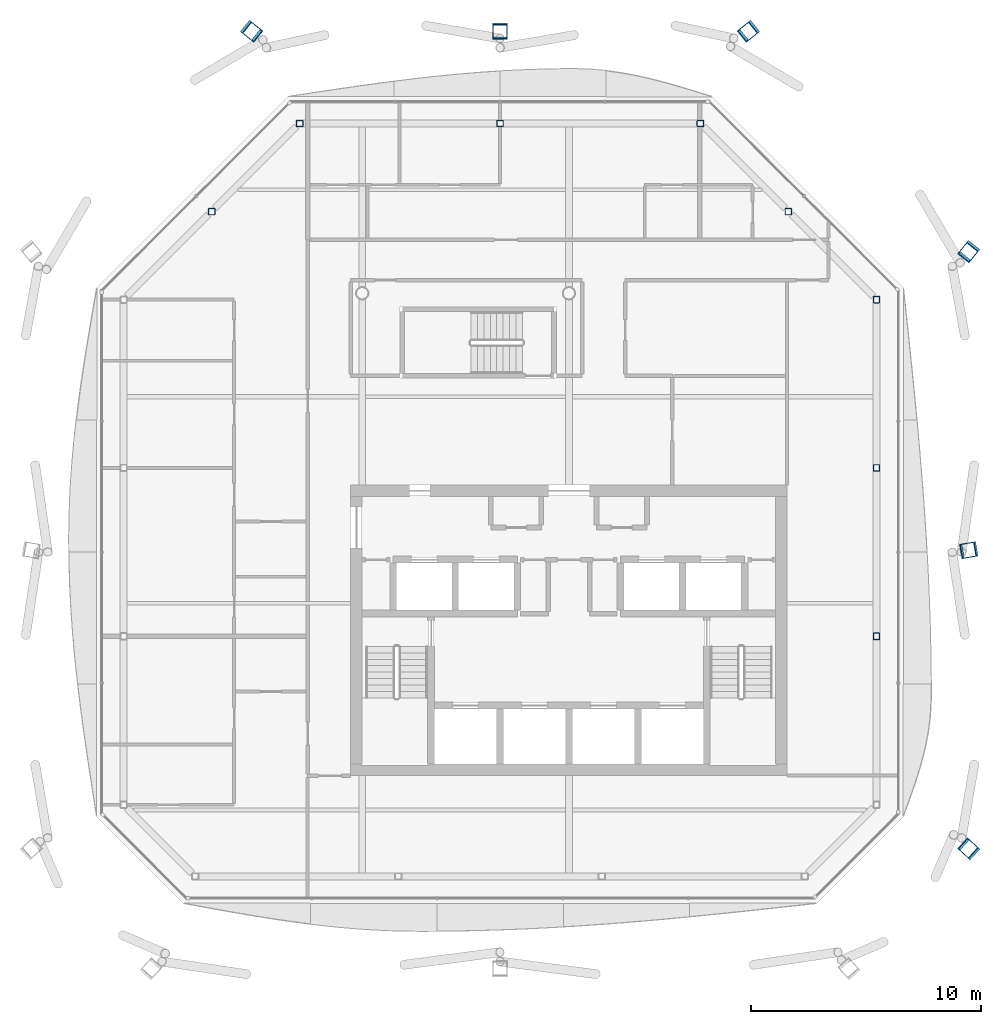
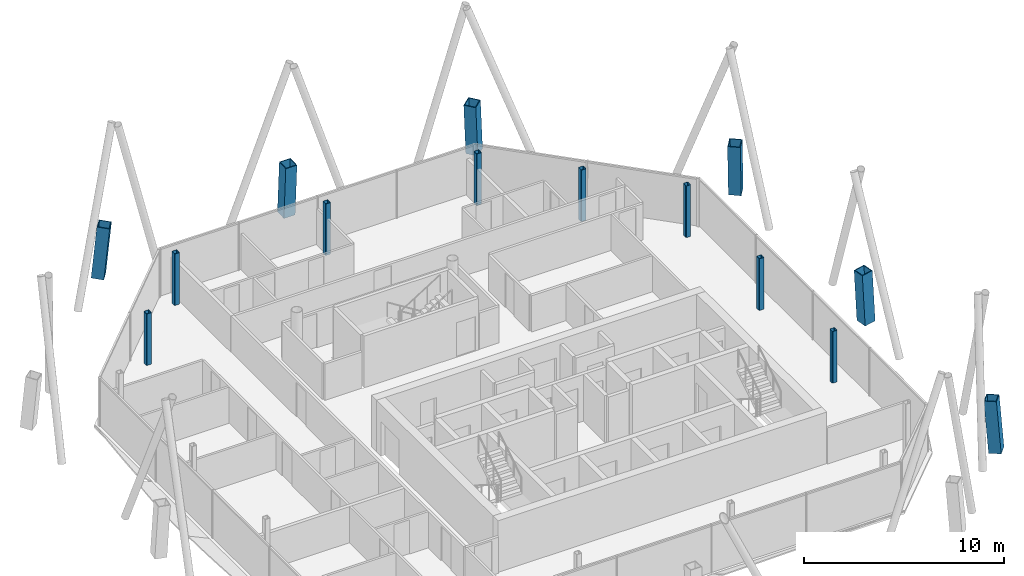
# One storey, part 2 of 16: 14 columns.
"""IFC4 building model written with IfcOpenShell, lengths in metres."""

from ifc_helpers import new_model, si_unit, direction, frame, origin, origin_2d, place, context, subcontext, project, spatial, hollow_rectangle, extrude, material, material_profile, profile_set, type_object, element, save


model = new_model("IFC4")

# Units and contexts
model_context = context("Model", 3, precision=1e-05, world=origin(), true_north=direction((0.0, 1.0)))
body_context = subcontext(model_context, "Body", "Model", "MODEL_VIEW")
ifc_project = project(units=[si_unit("LENGTHUNIT", "METRE"), si_unit("AREAUNIT", "SQUARE_METRE"), si_unit("VOLUMEUNIT", "CUBIC_METRE"), si_unit("PLANEANGLEUNIT", "RADIAN"), si_unit("MASSUNIT", "GRAM", prefix="KILO")], contexts=[model_context])

# Site, building, storey
site_placement = place(None, origin())
site = spatial("IfcSite", under=ifc_project, at=site_placement, CompositionType="ELEMENT")
building_placement = place(site_placement, origin())
building = spatial("IfcBuilding", under=site, at=building_placement, Name="Tskaro Facet Tower", CompositionType="ELEMENT")
storey_placement = place(building_placement, frame((0.0, 0.0, 245.550048828125)))
storey = spatial("IfcBuildingStorey", under=building, at=storey_placement, Name="L64", CompositionType="ELEMENT", Elevation=245.550048828125)

# Columns
ifc_material_1 = material(Name="Steel S355J2", Category="steel")
ifc_material_profile_1 = material_profile(ifc_material_1, hollow_rectangle(XDim=0.64990234375, YDim=0.64990234375, WallThickness=0.0400390625, at=origin_2d()), Name="BOX 650x650x40")
ifc_profile_set_1 = profile_set([ifc_material_profile_1], Name="Steel S355J2")
column_type_1 = type_object("IfcColumnType", Name="BOX 650x650x40 mega column", PredefinedType="COLUMN", material=ifc_profile_set_1)
column_1_placement = place(storey_placement, frame((17.44091796875, -15.218994140625, 0.0), z_axis=(-0.057875379585, 0.052543735804, 0.99694011669), x_axis=(-0.672180631251, -0.740387195305, 0.0)))
element("IfcColumn", 1, at=column_1_placement, inside=storey, type_object=column_type_1, Name="BOX 650x650x40 MC04/5", PredefinedType="COLUMN", context=body_context, shape_type="SweptSolid", body=[
    extrude(hollow_rectangle(XDim=0.64990234375, YDim=0.64990234375, WallThickness=0.0400390625, at=origin_2d()), origin(), (0.0, 0.0, 1.0), 3.15966796875),
])
column_2_placement = place(storey_placement, frame((17.44091796875, -2.180908203125, 0.0), z_axis=(-0.057952639735, -0.009826415549, 0.998270971783), x_axis=(0.167173292449, -0.98592752791, 0.0)))
element("IfcColumn", 2, at=column_2_placement, inside=storey, type_object=column_type_1, Name="BOX 650x650x40 MC05/5", PredefinedType="COLUMN", context=body_context, shape_type="SweptSolid", body=[
    extrude(hollow_rectangle(XDim=0.64990234375, YDim=0.64990234375, WallThickness=0.0400390625, at=origin_2d()), origin(), (0.0, 0.0, 1.0), 3.1552734375),
])
for number, where, z_axis, x_axis, name in (
    (3, (17.44091796875, 10.85595703125, 0.0), (-0.057805961616, -0.071775092527, 0.995744348161), (0.778822091241, -0.627244888537, 0.0), "BOX 650x650x40 MC06/5"),
    (4, (7.85595703125, 20.44091796875, 0.0), (-0.071775092527, -0.057805961616, 0.995744348161), (0.627244888537, -0.778822091241, 0.0), "BOX 650x650x40 MC07/5"),
):
    element("IfcColumn", number, at=place(storey_placement, frame(where, z_axis=z_axis, x_axis=x_axis)), inside=storey, type_object=column_type_1, Name=name, PredefinedType="COLUMN", context=body_context, shape_type="SweptSolid", body=[
        extrude(hollow_rectangle(XDim=0.64990234375, YDim=0.64990234375, WallThickness=0.0400390625, at=origin_2d()), origin(), (0.0, 0.0, 1.0), 3.163330078125),
    ])
column_3_placement = place(storey_placement, frame((-3.0, 20.44091796875, 0.0), z_axis=(0.0, -0.057955437846, 0.998319171019), x_axis=(1.0, 0.0, 0.0)))
element("IfcColumn", 5, at=column_3_placement, inside=storey, type_object=column_type_1, Name="BOX 650x650x40 MC08/5", PredefinedType="COLUMN", context=body_context, shape_type="SweptSolid", body=[
    extrude(hollow_rectangle(XDim=0.64990234375, YDim=0.64990234375, WallThickness=0.0400390625, at=origin_2d()), origin(), (0.0, 0.0, 1.0), 3.1552734375),
])
column_4_placement = place(storey_placement, frame((-13.85595703125, 20.44091796875, 0.0), z_axis=(0.071775092527, -0.057805961616, 0.995744348161), x_axis=(0.627244888537, 0.778822091241, 0.0)))
element("IfcColumn", 6, at=column_4_placement, inside=storey, type_object=column_type_1, Name="BOX 650x650x40 MC09/5", PredefinedType="COLUMN", context=body_context, shape_type="SweptSolid", body=[
    extrude(hollow_rectangle(XDim=0.64990234375, YDim=0.64990234375, WallThickness=0.0400390625, at=origin_2d()), origin(), (0.0, 0.0, 1.0), 3.163330078125),
])
ifc_material_2 = material(Name="Steel S355J2H", Category="steel")
ifc_material_profile_2 = material_profile(ifc_material_2, hollow_rectangle(XDim=0.300048828125, YDim=0.300048828125, WallThickness=0.02001953125, InnerFilletRadius=0.030029296875, OuterFilletRadius=0.050048828125, at=origin_2d()), Name="SHS 300x300x20")
ifc_profile_set_2 = profile_set([ifc_material_profile_2], Name="Steel S355J2H")
column_type_2 = type_object("IfcColumnType", Name="SHS 300x300x20 ring column", PredefinedType="COLUMN", material=ifc_profile_set_2)
for number, where, z_axis, x_axis, name in (
    (7, (13.39111328125, -5.93701171875, 0.0), (0.0, 0.0, 1.0), (1.0, 0.0, 0.0), "SHS 300x300x20 RE-2/5"),
    (8, (13.39111328125, 1.39404296875, 0.0), (0.0, 0.0, 1.0), (1.0, 0.0, 0.0), "SHS 300x300x20 RE-3/5"),
    (9, (13.39111328125, 8.72509765625, 0.0), (0.0, 0.0, 1.0), (1.0, 0.0, 0.0), "SHS 300x300x20 RNE-1/5"),
    (10, (9.55810546875, 12.55810546875, 0.0), (0.0, 0.0, 1.0), (1.0, 0.0, 0.0), "SHS 300x300x20 RNE-2/5"),
    (11, (5.72509765625, 16.39111328125, 0.0), (0.0, 0.0, 1.0), (1.0, 0.0, 0.0), "SHS 300x300x20 RN-1/5"),
    (12, (-3.0, 16.39111328125, 0.0), (0.0, 0.0, 1.0), (1.0, 0.0, 0.0), "SHS 300x300x20 RN-2/5"),
    (13, (-11.72509765625, 16.39111328125, 0.0), (0.0, 0.0, 1.0), (1.0, 0.0, 0.0), "SHS 300x300x20 RNW-1/5"),
    (14, (-15.55810546875, 12.55810546875, 0.0), (0.0, 0.0, 1.0), (1.0, 0.0, 0.0), "SHS 300x300x20 RNW-2/5"),
):
    element("IfcColumn", number, at=place(storey_placement, frame(where, z_axis=z_axis, x_axis=x_axis)), inside=storey, type_object=column_type_2, Name=name, PredefinedType="COLUMN", context=body_context, shape_type="SweptSolid", body=[
        extrude(hollow_rectangle(XDim=0.300048828125, YDim=0.300048828125, WallThickness=0.02001953125, InnerFilletRadius=0.030029296875, OuterFilletRadius=0.050048828125, at=origin_2d()), origin(), (0.0, 0.0, 1.0), 3.14990234375),
    ])

save(model, "model.ifc")
